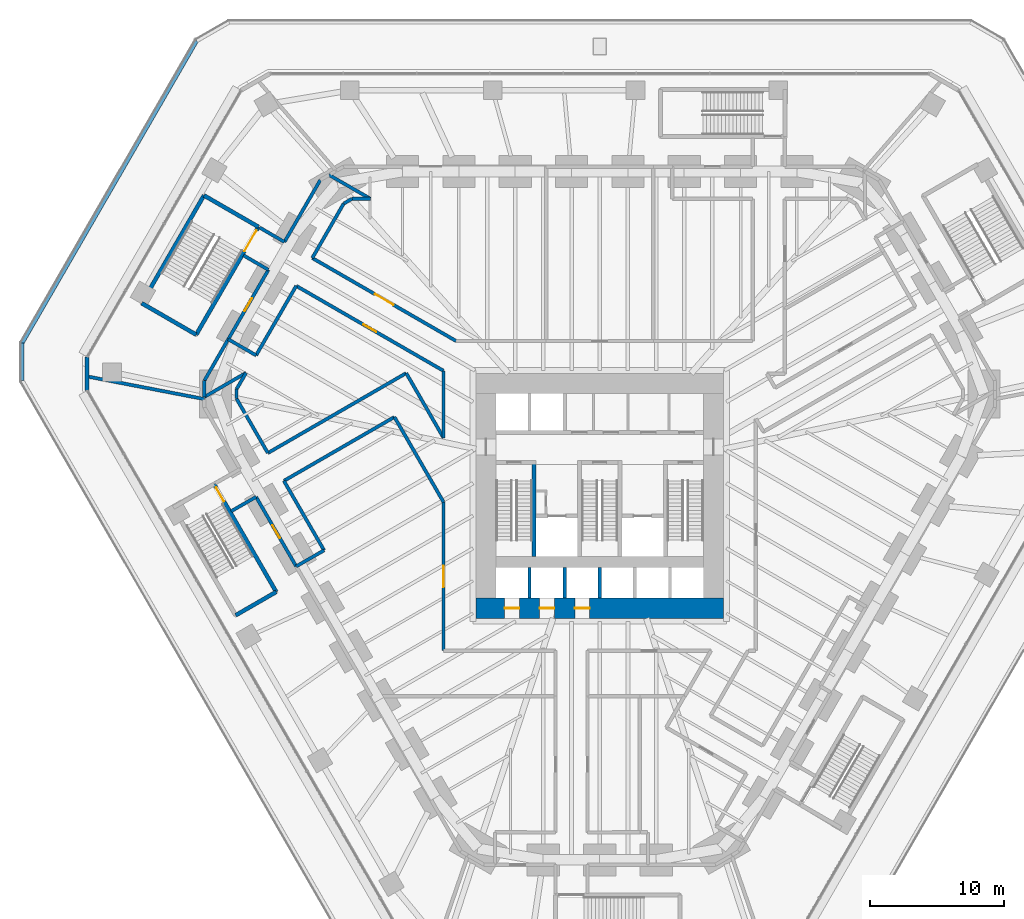
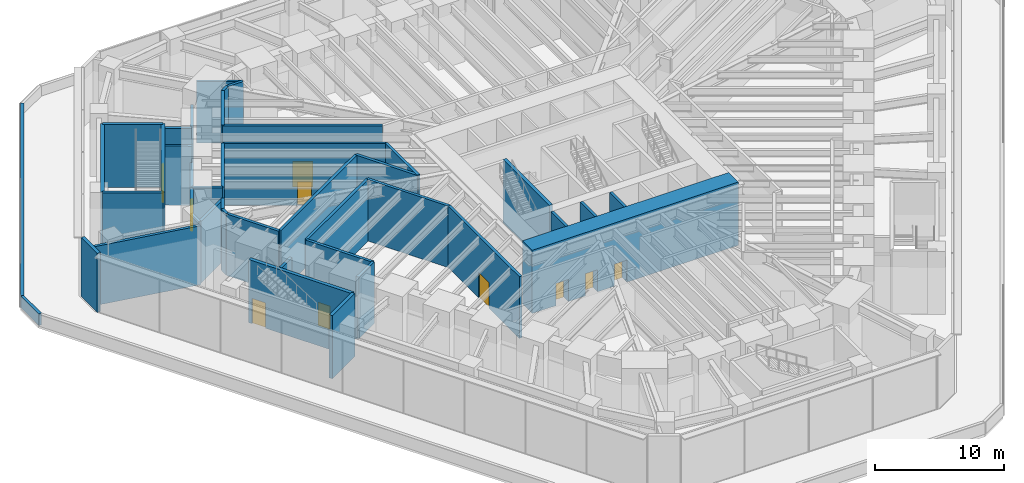
# One storey, part 15 of 24: 43 walls, 10 doors, 10 openings.
"""IFC4 building model written with IfcOpenShell, lengths in metres."""

from ifc_helpers import new_model, si_unit, direction, frame, frame_2d, origin, place, context, subcontext, project, spatial, rectangle, extrude, material, layer, layer_set, type_object, element, fill, save


model = new_model("IFC4")

# Units and contexts
model_context = context("Model", 3, precision=1e-05, world=origin(), true_north=direction((0.0, 1.0)))
body_context = subcontext(model_context, "Body", "Model", "MODEL_VIEW")
ifc_project = project(units=[si_unit("LENGTHUNIT", "METRE"), si_unit("AREAUNIT", "SQUARE_METRE"), si_unit("VOLUMEUNIT", "CUBIC_METRE"), si_unit("PLANEANGLEUNIT", "RADIAN"), si_unit("MASSUNIT", "GRAM", prefix="KILO")], contexts=[model_context])

# Site, building, storey
site_placement = place(None, origin())
site = spatial("IfcSite", under=ifc_project, at=site_placement, CompositionType="ELEMENT")
building_placement = place(site_placement, origin())
building = spatial("IfcBuilding", under=site, at=building_placement, Name="Sandreach Pilgrim Tower", CompositionType="ELEMENT")
storey_placement = place(building_placement, frame((0.0, 0.0, 12.0)))
storey = spatial("IfcBuildingStorey", under=building, at=storey_placement, Name="L02", CompositionType="ELEMENT", Elevation=12.0)

# Wall
ifc_material_1 = material(Name="Concrete 10000 psi", Category="concrete")
ifc_layer_1 = layer(ifc_material_1, 0.300048828125)
ifc_layer_set_1 = layer_set([ifc_layer_1], Name="Core inner wall 300")
wall_type_1 = type_object("IfcWallType", Name="Core inner wall 300", PredefinedType="SHEAR", material=ifc_layer_set_1)
wall_1_placement = place(storey_placement, frame((-4.89990234375, -6.10009765625, 0.0), z_axis=(0.0, 0.0, 1.0), x_axis=(0.0, 1.0, 0.0)))
element("IfcWall", 1, at=wall_1_placement, inside=storey, type_object=wall_type_1, Name="Core wall I0 L02", PredefinedType="SHEAR", context=body_context, shape_type="SweptSolid", body=[
    extrude(rectangle(XDim=7.2001953125, YDim=0.300048828125, at=frame_2d((3.60009765625, 0.0))), origin(), (0.0, 0.0, 1.0), 6.0),
])

# Wall, openings, doors
ifc_material_2 = material(Name="Concrete 10000 psi", Category="concrete")
ifc_layer_2 = layer(ifc_material_2, 1.5)
ifc_layer_set_2 = layer_set([ifc_layer_2], Name="Core wall 1500")
wall_type_2 = type_object("IfcWallType", Name="Core wall 1500", PredefinedType="SHEAR", material=ifc_layer_set_2)
wall_2_placement = place(storey_placement, frame((-9.25, -9.949951171875, 0.0), z_axis=(0.0, 0.0, 1.0), x_axis=(1.0, 0.0, 0.0)))
wall_2 = element("IfcWall", 2, at=wall_2_placement, inside=storey, type_object=wall_type_2, Name="Core wall S L02", PredefinedType="SHEAR", context=body_context, shape_type="SweptSolid", body=[
    extrude(rectangle(XDim=18.5, YDim=1.5, at=frame_2d((9.25, 0.0))), origin(), (0.0, 0.0, 1.0), 6.0),
])
opening_1_placement = place(wall_2_placement, frame((2.137451171875, 0.0, 0.0)))
opening_1 = element("IfcOpeningElement", 3, at=opening_1_placement, cuts=wall_2, Name="Opening LD11", PredefinedType="OPENING", context=body_context, shape_type="SweptSolid", body=[
    extrude(rectangle(XDim=1.10009765625, YDim=2.10009765625, at=frame_2d((0.550048828125, 1.050048828125))), frame((0.0, 0.75, 0.0), z_axis=(0.0, -1.0, 0.0), x_axis=(1.0, 0.0, 0.0)), (0.0, 0.0, 1.0), 1.5),
])
opening_2_placement = place(wall_2_placement, frame((4.762451171875, 0.0, 0.0)))
opening_2 = element("IfcOpeningElement", 4, at=opening_2_placement, cuts=wall_2, Name="Opening LD11", PredefinedType="OPENING", context=body_context, shape_type="SweptSolid", body=[
    extrude(rectangle(XDim=1.10009765625, YDim=2.10009765625, at=frame_2d((0.550048828125, 1.050048828125))), frame((0.0, 0.75, 0.0), z_axis=(0.0, -1.0, 0.0), x_axis=(1.0, 0.0, 0.0)), (0.0, 0.0, 1.0), 1.5),
])
opening_3_placement = place(wall_2_placement, frame((7.387451171875, 0.0, 0.0)))
opening_3 = element("IfcOpeningElement", 5, at=opening_3_placement, cuts=wall_2, Name="Opening LD11", PredefinedType="OPENING", context=body_context, shape_type="SweptSolid", body=[
    extrude(rectangle(XDim=1.10009765625, YDim=2.10009765625, at=frame_2d((0.550048828125, 1.050048828125))), frame((0.0, 0.75, 0.0), z_axis=(0.0, -1.0, 0.0), x_axis=(1.0, 0.0, 0.0)), (0.0, 0.0, 1.0), 1.5),
])
ifc_material_3 = material(Name="Steel door and frame", Category="steel")
door_type_1 = type_object("IfcDoorType", Name="Lift landing door", OperationType="DOUBLE_DOOR_SLIDING", PredefinedType="DOOR", material=ifc_material_3)
door_1_placement = place(opening_1_placement, origin())
door_1 = element("IfcDoor", 6, at=door_1_placement, inside=storey, type_object=door_type_1, Name="Lift landing door Z1A L02", OperationType="DOUBLE_DOOR_SLIDING", OverallHeight=2.10009765625, OverallWidth=1.10009765625, PredefinedType="DOOR", context=body_context, shape_type="SweptSolid", body=[
    extrude(rectangle(XDim=1.10009765625, YDim=2.10009765625, at=frame_2d((0.550048828125, 1.050048828125))), frame((0.0, 0.02490234375, 0.0), z_axis=(0.0, -1.0, 0.0), x_axis=(1.0, 0.0, 0.0)), (0.0, 0.0, 1.0), 0.050048828125),
])
fill(opening_1, door_1)
door_2_placement = place(opening_2_placement, origin())
door_2 = element("IfcDoor", 7, at=door_2_placement, inside=storey, type_object=door_type_1, Name="Lift landing door Z1B L02", OperationType="DOUBLE_DOOR_SLIDING", OverallHeight=2.10009765625, OverallWidth=1.10009765625, PredefinedType="DOOR", context=body_context, shape_type="SweptSolid", body=[
    extrude(rectangle(XDim=1.10009765625, YDim=2.10009765625, at=frame_2d((0.550048828125, 1.050048828125))), frame((0.0, 0.02490234375, 0.0), z_axis=(0.0, -1.0, 0.0), x_axis=(1.0, 0.0, 0.0)), (0.0, 0.0, 1.0), 0.050048828125),
])
fill(opening_2, door_2)
door_3_placement = place(opening_3_placement, origin())
door_3 = element("IfcDoor", 8, at=door_3_placement, inside=storey, type_object=door_type_1, Name="Lift landing door Z1C L02", OperationType="DOUBLE_DOOR_SLIDING", OverallHeight=2.10009765625, OverallWidth=1.10009765625, PredefinedType="DOOR", context=body_context, shape_type="SweptSolid", body=[
    extrude(rectangle(XDim=1.10009765625, YDim=2.10009765625, at=frame_2d((0.550048828125, 1.050048828125))), frame((0.0, 0.02490234375, 0.0), z_axis=(0.0, -1.0, 0.0), x_axis=(1.0, 0.0, 0.0)), (0.0, 0.0, 1.0), 0.050048828125),
])
fill(opening_3, door_3)

# Walls
ifc_material_4 = material(Name="Acoustic gypsum board wall, double frame", Category="gypsum")
ifc_layer_3 = layer(ifc_material_4, 0.25)
ifc_layer_set_3 = layer_set([ifc_layer_3], Name="Hall partition 250")
wall_type_3 = type_object("IfcWallType", Name="Hall partition 250", PredefinedType="PARTITIONING", material=ifc_layer_set_3)
wall_3_placement = place(storey_placement, frame((-38.320556640625, 7.374267578125, 0.0), z_axis=(0.0, 0.0, 1.0), x_axis=(0.981886490476, -0.189470102708, 0.0)))
element("IfcWall", 9, at=wall_3_placement, inside=storey, type_object=wall_type_3, Name="Hall partition L02-001", PredefinedType="PARTITIONING", context=body_context, shape_type="SweptSolid", body=[
    extrude(rectangle(XDim=8.9423828125, YDim=0.25, at=frame_2d((4.47119140625, 0.0))), origin(), (0.0, 0.0, 1.0), 5.60009765625),
])
wall_4_placement = place(storey_placement, frame((-29.5400390625, 7.06005859375, 0.0), z_axis=(0.0, 0.0, 1.0), x_axis=(0.0, -1.0, 0.0)))
element("IfcWall", 10, at=wall_4_placement, inside=storey, type_object=wall_type_3, Name="Hall partition L02-004", PredefinedType="PARTITIONING", context=body_context, shape_type="SweptSolid", body=[
    extrude(rectangle(XDim=1.219970703125, YDim=0.25, at=frame_2d((0.60986328125, 0.0))), origin(), (0.0, 0.0, 1.0), 5.840087890625),
])
wall_5_placement = place(storey_placement, frame((-27.760009765625, 10.14990234375, 0.0), z_axis=(0.0, 0.0, 1.0), x_axis=(-0.499181015942, -0.8664977284, 0.0)))
element("IfcWall", 11, at=wall_5_placement, inside=storey, type_object=wall_type_3, Name="Hall partition L02-005", PredefinedType="PARTITIONING", context=body_context, shape_type="SweptSolid", body=[
    extrude(rectangle(XDim=3.56591796875, YDim=0.25, at=frame_2d((1.782958984375, 0.0))), origin(), (0.0, 0.0, 1.0), 5.840087890625),
])
wall_6_placement = place(storey_placement, frame((-27.760009765625, 10.14990234375, 0.0), z_axis=(0.0, 0.0, 1.0), x_axis=(0.866202511239, -0.499693115345, 0.0)))
element("IfcWall", 12, at=wall_6_placement, inside=storey, type_object=wall_type_3, Name="Hall partition L02-006", PredefinedType="PARTITIONING", context=body_context, shape_type="SweptSolid", body=[
    extrude(rectangle(XDim=2.4013671875, YDim=0.25, at=frame_2d((1.20068359375, 0.0))), origin(), (0.0, 0.0, 1.0), 5.840087890625),
])
wall_7_placement = place(storey_placement, frame((-27.5400390625, -2.699951171875, 0.0), z_axis=(0.0, 0.0, 1.0), x_axis=(0.866853445344, 0.49856303944, 0.0)))
element("IfcWall", 13, at=wall_7_placement, inside=storey, type_object=wall_type_3, Name="Hall partition L02-007", PredefinedType="PARTITIONING", context=body_context, shape_type="SweptSolid", body=[
    extrude(rectangle(XDim=2.145751953125, YDim=0.25, at=frame_2d((1.07275390625, 0.0))), origin(), (0.0, 0.0, 1.0), 5.60009765625),
])
wall_8_placement = place(storey_placement, frame((-27.139892578125, 5.7099609375, 0.0), z_axis=(0.0, 0.0, 1.0), x_axis=(0.0, 1.0, 0.0)))
element("IfcWall", 14, at=wall_8_placement, inside=storey, type_object=wall_type_3, Name="Hall partition L02-008", PredefinedType="PARTITIONING", context=body_context, shape_type="SweptSolid", body=[
    extrude(rectangle(XDim=0.7099609375, YDim=0.25, at=frame_2d((0.35498046875, 0.0))), origin(), (0.0, 0.0, 1.0), 5.840087890625),
])
wall_9_placement = place(storey_placement, frame((-27.139892578125, 6.419921875, 0.0), z_axis=(0.0, 0.0, 1.0), x_axis=(0.502902974743, 0.864342870622, 0.0)))
element("IfcWall", 15, at=wall_9_placement, inside=storey, type_object=wall_type_3, Name="Hall partition L02-009", PredefinedType="PARTITIONING", context=body_context, shape_type="SweptSolid", body=[
    extrude(rectangle(XDim=1.41162109375, YDim=0.25, at=frame_2d((0.705810546875, 0.0))), origin(), (0.0, 0.0, 1.0), 5.840087890625),
])
wall_10_placement = place(storey_placement, frame((-26.6201171875, 16.419921875, 0.0), z_axis=(0.0, 0.0, 1.0), x_axis=(0.864835053767, -0.50205610222, 0.0)))
element("IfcWall", 16, at=wall_10_placement, inside=storey, type_object=wall_type_3, Name="Hall partition L02-011", PredefinedType="PARTITIONING", context=body_context, shape_type="SweptSolid", body=[
    extrude(rectangle(XDim=2.15087890625, YDim=0.25, at=frame_2d((1.075439453125, 0.0))), origin(), (0.0, 0.0, 1.0), 5.60009765625),
])
wall_11_placement = place(storey_placement, frame((-26.429931640625, 7.639892578125, 0.0), z_axis=(0.0, 0.0, 1.0), x_axis=(-0.865520854062, -0.500872889249, 0.0)))
element("IfcWall", 17, at=wall_11_placement, inside=storey, type_object=wall_type_3, Name="Hall partition L02-012", PredefinedType="PARTITIONING", context=body_context, shape_type="SweptSolid", body=[
    extrude(rectangle(XDim=3.59326171875, YDim=0.25, at=frame_2d((1.796630859375, 0.0))), origin(), (0.0, 0.0, 1.0), 5.840087890625),
])

# Wall, opening, door
wall_12_placement = place(storey_placement, frame((-25.679931640625, -1.6298828125, 0.0), z_axis=(0.0, 0.0, 1.0), x_axis=(0.500116102252, -0.865958361741, 0.0)))
wall_12 = element("IfcWall", 18, at=wall_12_placement, inside=storey, type_object=wall_type_3, Name="Hall partition L02-013", PredefinedType="PARTITIONING", context=body_context, shape_type="SweptSolid", body=[
    extrude(rectangle(XDim=5.99462890625, YDim=0.25, at=frame_2d((2.997314453125, 0.0))), origin(), (0.0, 0.0, 1.0), 4.0400390625),
])
opening_4_placement = place(wall_12_placement, frame((2.447509765625, 0.0, 0.0)))
opening_4 = element("IfcOpeningElement", 19, at=opening_4_placement, cuts=wall_12, Name="Opening D11H-05", PredefinedType="OPENING", context=body_context, shape_type="SweptSolid", body=[
    extrude(rectangle(XDim=1.10009765625, YDim=2.199951171875, at=frame_2d((0.550048828125, 1.10009765625))), frame((0.0, 0.125, 0.0), z_axis=(0.0, -1.0, 0.0), x_axis=(1.0, 0.0, 0.0)), (0.0, 0.0, 1.0), 0.25),
])
ifc_material_5 = material(Name="Steel door and frame", Category="steel")
door_type_2 = type_object("IfcDoorType", Name="Back of house door", OperationType="SINGLE_SWING_LEFT", PredefinedType="DOOR", material=ifc_material_5)
door_4_placement = place(opening_4_placement, origin())
door_4 = element("IfcDoor", 20, at=door_4_placement, inside=storey, type_object=door_type_2, Name="Door 0205", OperationType="SINGLE_SWING_LEFT", OverallHeight=2.199951171875, OverallWidth=1.10009765625, PredefinedType="DOOR", context=body_context, shape_type="SweptSolid", body=[
    extrude(rectangle(XDim=1.10009765625, YDim=2.199951171875, at=frame_2d((0.550048828125, 1.10009765625))), frame((0.0, 0.02490234375, 0.0), z_axis=(0.0, -1.0, 0.0), x_axis=(1.0, 0.0, 0.0)), (0.0, 0.0, 1.0), 0.050048828125),
])
fill(opening_4, door_4)

# Walls
wall_13_placement = place(storey_placement, frame((-25.679931640625, 8.949951171875, 0.0), z_axis=(0.0, 0.0, 1.0), x_axis=(0.50043093139, 0.865776462436, 0.0)))
element("IfcWall", 21, at=wall_13_placement, inside=storey, type_object=wall_type_3, Name="Hall partition L02-014", PredefinedType="PARTITIONING", context=body_context, shape_type="SweptSolid", body=[
    extrude(rectangle(XDim=5.994873046875, YDim=0.25, at=frame_2d((2.99755859375, 0.0))), origin(), (0.0, 0.0, 1.0), 5.840087890625),
])
wall_14_placement = place(storey_placement, frame((-24.800048828125, 1.64990234375, 0.0), z_axis=(0.0, 0.0, 1.0), x_axis=(-0.499361596599, 0.866393672555, 0.0)))
element("IfcWall", 22, at=wall_14_placement, inside=storey, type_object=wall_type_3, Name="Hall partition L02-015", PredefinedType="PARTITIONING", context=body_context, shape_type="SweptSolid", body=[
    extrude(rectangle(XDim=4.686279296875, YDim=0.25, at=frame_2d((2.34326171875, 0.0))), origin(), (0.0, 0.0, 1.0), 5.840087890625),
])

# Wall, opening, door
wall_15_placement = place(storey_placement, frame((-24.760009765625, 15.340087890625, 0.0), z_axis=(0.0, 0.0, 1.0), x_axis=(-0.50043093139, -0.865776462436, 0.0)))
wall_15 = element("IfcWall", 23, at=wall_15_placement, inside=storey, type_object=wall_type_3, Name="Hall partition L02-016", PredefinedType="PARTITIONING", context=body_context, shape_type="SweptSolid", body=[
    extrude(rectangle(XDim=5.994873046875, YDim=0.25, at=frame_2d((2.99755859375, 0.0))), origin(), (0.0, 0.0, 1.0), 4.0400390625),
])
opening_5_placement = place(wall_15_placement, frame((2.447509765625, 0.0, 0.0)))
opening_5 = element("IfcOpeningElement", 24, at=opening_5_placement, cuts=wall_15, Name="Opening D11H-06", PredefinedType="OPENING", context=body_context, shape_type="SweptSolid", body=[
    extrude(rectangle(XDim=1.10009765625, YDim=2.199951171875, at=frame_2d((0.550048828125, 1.10009765625))), frame((0.0, 0.125, 0.0), z_axis=(0.0, -1.0, 0.0), x_axis=(1.0, 0.0, 0.0)), (0.0, 0.0, 1.0), 0.25),
])
door_5_placement = place(opening_5_placement, origin())
door_5 = element("IfcDoor", 25, at=door_5_placement, inside=storey, type_object=door_type_2, Name="Door 0206", OperationType="SINGLE_SWING_LEFT", OverallHeight=2.199951171875, OverallWidth=1.10009765625, PredefinedType="DOOR", context=body_context, shape_type="SweptSolid", body=[
    extrude(rectangle(XDim=1.10009765625, YDim=2.199951171875, at=frame_2d((0.550048828125, 1.10009765625))), frame((0.0, 0.02490234375, 0.0), z_axis=(0.0, -1.0, 0.0), x_axis=(1.0, 0.0, 0.0)), (0.0, 0.0, 1.0), 0.050048828125),
])
fill(opening_5, door_5)

# Walls
wall_16_placement = place(storey_placement, frame((-23.60009765625, -0.429931640625, 0.0), z_axis=(0.0, 0.0, 1.0), x_axis=(0.865975432538, 0.500086542752, 0.0)))
element("IfcWall", 26, at=wall_16_placement, inside=storey, type_object=wall_type_3, Name="Hall partition L02-017", PredefinedType="PARTITIONING", context=body_context, shape_type="SweptSolid", body=[
    extrude(rectangle(XDim=9.538330078125, YDim=0.25, at=frame_2d((4.76904296875, 0.0))), origin(), (0.0, 0.0, 1.0), 5.840087890625),
])
wall_17_placement = place(storey_placement, frame((-23.56005859375, 17.419921875, 0.0), z_axis=(0.0, 0.0, 1.0), x_axis=(-0.864757143013, 0.502190286255, 0.0)))
element("IfcWall", 27, at=wall_17_placement, inside=storey, type_object=wall_type_3, Name="Hall partition L02-018", PredefinedType="PARTITIONING", context=body_context, shape_type="SweptSolid", body=[
    extrude(rectangle(XDim=2.150634765625, YDim=0.25, at=frame_2d((1.0751953125, 0.0))), origin(), (0.0, 0.0, 1.0), 5.60009765625),
])
wall_18_placement = place(storey_placement, frame((-22.679931640625, -6.820068359375, 0.0), z_axis=(0.0, 0.0, 1.0), x_axis=(0.866177122335, 0.499737123639, 0.0)))
element("IfcWall", 28, at=wall_18_placement, inside=storey, type_object=wall_type_3, Name="Hall partition L02-020", PredefinedType="PARTITIONING", context=body_context, shape_type="SweptSolid", body=[
    extrude(rectangle(XDim=2.401123046875, YDim=0.25, at=frame_2d((1.20068359375, 0.0))), origin(), (0.0, 0.0, 1.0), 5.840087890625),
])

# Wall, opening, door
wall_19_placement = place(storey_placement, frame((-22.679931640625, 14.139892578125, 0.0), z_axis=(0.0, 0.0, 1.0), x_axis=(0.866256251028, -0.499599947513, 0.0)))
wall_19 = element("IfcWall", 29, at=wall_19_placement, inside=storey, type_object=wall_type_3, Name="Hall partition L02-021", PredefinedType="PARTITIONING", context=body_context, shape_type="SweptSolid", body=[
    extrude(rectangle(XDim=12.7099609375, YDim=0.25, at=frame_2d((6.35498046875, 0.0))), origin(), (0.0, 0.0, 1.0), 5.840087890625),
])
opening_6_placement = place(wall_19_placement, frame((5.804931640625, 0.0, 0.0)))
opening_6 = element("IfcOpeningElement", 30, at=opening_6_placement, cuts=wall_19, Name="Opening D11H-B3", PredefinedType="OPENING", context=body_context, shape_type="SweptSolid", body=[
    extrude(rectangle(XDim=1.10009765625, YDim=2.199951171875, at=frame_2d((0.550048828125, 1.10009765625))), frame((0.0, 0.125, 0.0), z_axis=(0.0, -1.0, 0.0), x_axis=(1.0, 0.0, 0.0)), (0.0, 0.0, 1.0), 0.25),
])
door_6_placement = place(opening_6_placement, origin())
door_6 = element("IfcDoor", 31, at=door_6_placement, inside=storey, type_object=door_type_2, Name="Door 02B3", OperationType="SINGLE_SWING_LEFT", OverallHeight=2.199951171875, OverallWidth=1.10009765625, PredefinedType="DOOR", context=body_context, shape_type="SweptSolid", body=[
    extrude(rectangle(XDim=1.10009765625, YDim=2.199951171875, at=frame_2d((0.550048828125, 1.10009765625))), frame((0.0, 0.02490234375, 0.0), z_axis=(0.0, -1.0, 0.0), x_axis=(1.0, 0.0, 0.0)), (0.0, 0.0, 1.0), 0.050048828125),
])
fill(opening_6, door_6)

# Walls
wall_20_placement = place(storey_placement, frame((-21.47998046875, 16.219970703125, 0.0), z_axis=(0.0, 0.0, 1.0), x_axis=(0.499999753078, 0.866025546345, 0.0)))
element("IfcWall", 32, at=wall_20_placement, inside=storey, type_object=wall_type_3, Name="Hall partition L02-022", PredefinedType="PARTITIONING", context=body_context, shape_type="SweptSolid", body=[
    extrude(rectangle(XDim=4.69970703125, YDim=0.25, at=frame_2d((2.349853515625, 0.0))), origin(), (0.0, 0.0, 1.0), 5.840087890625),
])
wall_21_placement = place(storey_placement, frame((-20.8798828125, 22.050048828125, 0.0), z_axis=(0.0, 0.0, 1.0), x_axis=(-0.50097690648, -0.86546065143, 0.0)))
element("IfcWall", 33, at=wall_21_placement, inside=storey, type_object=wall_type_3, Name="Hall partition L02-023", PredefinedType="PARTITIONING", context=body_context, shape_type="SweptSolid", body=[
    extrude(rectangle(XDim=5.349853515625, YDim=0.25, at=frame_2d((2.6748046875, 0.0))), origin(), (0.0, 0.0, 1.0), 4.0400390625),
])
wall_22_placement = place(storey_placement, frame((-20.60009765625, -5.6201171875, 0.0), z_axis=(0.0, 0.0, 1.0), x_axis=(-0.50043093139, 0.865776462436, 0.0)))
element("IfcWall", 34, at=wall_22_placement, inside=storey, type_object=wall_type_3, Name="Hall partition L02-024", PredefinedType="PARTITIONING", context=body_context, shape_type="SweptSolid", body=[
    extrude(rectangle(XDim=5.994873046875, YDim=0.25, at=frame_2d((2.99755859375, 0.0))), origin(), (0.0, 0.0, 1.0), 5.840087890625),
])
wall_23_placement = place(storey_placement, frame((-19.1298828125, 20.2900390625, 0.0), z_axis=(0.0, 0.0, 1.0), x_axis=(0.864827114446, 0.502069778138, 0.0)))
element("IfcWall", 35, at=wall_23_placement, inside=storey, type_object=wall_type_3, Name="Hall partition L02-029", PredefinedType="PARTITIONING", context=body_context, shape_type="SweptSolid", body=[
    extrude(rectangle(XDim=0.716796875, YDim=0.25, at=frame_2d((0.3583984375, 0.0))), origin(), (0.0, 0.0, 1.0), 5.840087890625),
])
wall_24_placement = place(storey_placement, frame((-18.510009765625, 20.64990234375, 0.0), z_axis=(0.0, 0.0, 1.0), x_axis=(1.0, 0.0, 0.0)))
element("IfcWall", 36, at=wall_24_placement, inside=storey, type_object=wall_type_3, Name="Hall partition L02-030", PredefinedType="PARTITIONING", context=body_context, shape_type="SweptSolid", body=[
    extrude(rectangle(XDim=1.3701171875, YDim=0.25, at=frame_2d((0.68505859375, 0.0))), origin(), (0.0, 0.0, 1.0), 5.840087890625),
])
wall_25_placement = place(storey_placement, frame((-17.139892578125, 20.64990234375, 0.0), z_axis=(0.0, 0.0, 1.0), x_axis=(-0.866514787199, 0.49915140345, 0.0)))
element("IfcWall", 37, at=wall_25_placement, inside=storey, type_object=wall_type_3, Name="Hall partition L02-031", PredefinedType="PARTITIONING", context=body_context, shape_type="SweptSolid", body=[
    extrude(rectangle(XDim=3.566162109375, YDim=0.25, at=frame_2d((1.783203125, 0.0))), origin(), (0.0, 0.0, 1.0), 5.840087890625),
])
wall_26_placement = place(storey_placement, frame((-15.340087890625, 4.340087890625, 0.0), z_axis=(0.0, 0.0, 1.0), x_axis=(0.499811677007, -0.866134104817, 0.0)))
element("IfcWall", 38, at=wall_26_placement, inside=storey, type_object=wall_type_3, Name="Hall partition L02-033", PredefinedType="PARTITIONING", context=body_context, shape_type="SweptSolid", body=[
    extrude(rectangle(XDim=7.343017578125, YDim=0.25, at=frame_2d((3.67138671875, 0.0))), origin(), (0.0, 0.0, 1.0), 5.840087890625),
])
wall_27_placement = place(storey_placement, frame((-14.4599609375, 7.6201171875, 0.0), z_axis=(0.0, 0.0, 1.0), x_axis=(-0.866012263686, -0.500022758628, 0.0)))
element("IfcWall", 39, at=wall_27_placement, inside=storey, type_object=wall_type_3, Name="Hall partition L02-034", PredefinedType="PARTITIONING", context=body_context, shape_type="SweptSolid", body=[
    extrude(rectangle(XDim=11.93994140625, YDim=0.25, at=frame_2d((5.969970703125, 0.0))), origin(), (0.0, 0.0, 1.0), 5.840087890625),
])

# Wall, opening, door
wall_28_placement = place(storey_placement, frame((-11.669921875, -2.02001953125, 0.0), z_axis=(0.0, 0.0, 1.0), x_axis=(0.0, -1.0, 0.0)))
wall_28 = element("IfcWall", 40, at=wall_28_placement, inside=storey, type_object=wall_type_3, Name="Hall partition L02-037", PredefinedType="PARTITIONING", context=body_context, shape_type="SweptSolid", body=[
    extrude(rectangle(XDim=11.10009765625, YDim=0.25, at=frame_2d((5.550048828125, 0.0))), origin(), (0.0, 0.0, 1.0), 5.840087890625),
])
opening_7_placement = place(wall_28_placement, frame((4.75, 0.0, 0.0)))
opening_7 = element("IfcOpeningElement", 41, at=opening_7_placement, cuts=wall_28, Name="Opening D16-B4", PredefinedType="OPENING", context=body_context, shape_type="SweptSolid", body=[
    extrude(rectangle(XDim=1.60009765625, YDim=2.39990234375, at=frame_2d((0.800048828125, 1.199951171875))), frame((0.0, 0.125, 0.0), z_axis=(0.0, -1.0, 0.0), x_axis=(1.0, 0.0, 0.0)), (0.0, 0.0, 1.0), 0.25),
])
ifc_material_6 = material(Name="Steel door and frame", Category="steel")
door_type_3 = type_object("IfcDoorType", Name="Hall double door", OperationType="DOUBLE_DOOR_SINGLE_SWING", PredefinedType="DOOR", material=ifc_material_6)
door_7_placement = place(opening_7_placement, origin())
door_7 = element("IfcDoor", 42, at=door_7_placement, inside=storey, type_object=door_type_3, Name="Door 02B4", OperationType="DOUBLE_DOOR_SINGLE_SWING", OverallHeight=2.39990234375, OverallWidth=1.60009765625, PredefinedType="DOOR", context=body_context, shape_type="SweptSolid", body=[
    extrude(rectangle(XDim=1.60009765625, YDim=2.39990234375, at=frame_2d((0.800048828125, 1.199951171875))), frame((0.0, 0.02490234375, 0.0), z_axis=(0.0, -1.0, 0.0), x_axis=(1.0, 0.0, 0.0)), (0.0, 0.0, 1.0), 0.050048828125),
])
fill(opening_7, door_7)

# Walls
wall_29_placement = place(storey_placement, frame((-11.669921875, 2.780029296875, 0.0), z_axis=(0.0, 0.0, 1.0), x_axis=(-0.49941093891, 0.866365231353, 0.0)))
element("IfcWall", 43, at=wall_29_placement, inside=storey, type_object=wall_type_3, Name="Hall partition L02-038", PredefinedType="PARTITIONING", context=body_context, shape_type="SweptSolid", body=[
    extrude(rectangle(XDim=5.586669921875, YDim=0.25, at=frame_2d((2.79345703125, 0.0))), origin(), (0.0, 0.0, 1.0), 5.840087890625),
])
wall_30_placement = place(storey_placement, frame((-11.669921875, 7.7900390625, 0.0), z_axis=(0.0, 0.0, 1.0), x_axis=(0.0, -1.0, 0.0)))
element("IfcWall", 44, at=wall_30_placement, inside=storey, type_object=wall_type_3, Name="Hall partition L02-039", PredefinedType="PARTITIONING", context=body_context, shape_type="SweptSolid", body=[
    extrude(rectangle(XDim=5.010009765625, YDim=0.25, at=frame_2d((2.5048828125, 0.0))), origin(), (0.0, 0.0, 1.0), 5.840087890625),
])

# Wall, opening, door
wall_31_placement = place(storey_placement, frame((-10.72998046875, 10.02001953125, 0.0), z_axis=(0.0, 0.0, 1.0), x_axis=(-0.866254357941, 0.499603229922, 0.0)))
wall_31 = element("IfcWall", 45, at=wall_31_placement, inside=storey, type_object=wall_type_3, Name="Hall partition L02-040", PredefinedType="PARTITIONING", context=body_context, shape_type="SweptSolid", body=[
    extrude(rectangle(XDim=12.40966796875, YDim=0.25, at=frame_2d((6.204833984375, 0.0))), origin(), (0.0, 0.0, 1.0), 5.840087890625),
])
opening_8_placement = place(wall_31_placement, frame((5.40478515625, 0.0, 0.0)))
opening_8 = element("IfcOpeningElement", 46, at=opening_8_placement, cuts=wall_31, Name="Opening D16-B2", PredefinedType="OPENING", context=body_context, shape_type="SweptSolid", body=[
    extrude(rectangle(XDim=1.60009765625, YDim=2.39990234375, at=frame_2d((0.800048828125, 1.199951171875))), frame((0.0, 0.125, 0.0), z_axis=(0.0, -1.0, 0.0), x_axis=(1.0, 0.0, 0.0)), (0.0, 0.0, 1.0), 0.25),
])
door_8_placement = place(opening_8_placement, origin())
door_8 = element("IfcDoor", 47, at=door_8_placement, inside=storey, type_object=door_type_3, Name="Door 02B2", OperationType="DOUBLE_DOOR_SINGLE_SWING", OverallHeight=2.39990234375, OverallWidth=1.60009765625, PredefinedType="DOOR", context=body_context, shape_type="SweptSolid", body=[
    extrude(rectangle(XDim=1.60009765625, YDim=2.39990234375, at=frame_2d((0.800048828125, 1.199951171875))), frame((0.0, 0.02490234375, 0.0), z_axis=(0.0, -1.0, 0.0), x_axis=(1.0, 0.0, 0.0)), (0.0, 0.0, 1.0), 0.050048828125),
])
fill(opening_8, door_8)

ifc_material_7 = material(Name="Concrete 8000 psi", Category="concrete")
ifc_layer_4 = layer(ifc_material_7, 0.300048828125)
ifc_layer_set_4 = layer_set([ifc_layer_4], Name="Podium stair enclosure 300")
wall_type_4 = type_object("IfcWallType", Name="Podium stair enclosure 300", PredefinedType="SHEAR", material=ifc_layer_set_4)
wall_32_placement = place(storey_placement, frame((-25.503662109375, 18.548095703125, 0.0), z_axis=(0.0, 0.0, 1.0), x_axis=(-0.500004225487, -0.866022964185, 0.0)))
wall_32 = element("IfcWall", 48, at=wall_32_placement, inside=storey, type_object=wall_type_4, Name="Stair ST6 enclosure L02 1", PredefinedType="SHEAR", context=body_context, shape_type="SweptSolid", body=[
    extrude(rectangle(XDim=9.30029296875, YDim=0.300048828125, at=frame_2d((4.650146484375, 0.0))), origin(), (0.0, 0.0, 1.0), 6.0),
])
opening_9_placement = place(wall_32_placement, frame((0.300048828125, 0.0, 0.0)))
opening_9 = element("IfcOpeningElement", 49, at=opening_9_placement, cuts=wall_32, Name="Opening D18S-ST6", PredefinedType="OPENING", context=body_context, shape_type="SweptSolid", body=[
    extrude(rectangle(XDim=1.800048828125, YDim=2.39990234375, at=frame_2d((0.89990234375, 1.199951171875))), frame((0.0, 0.14990234375, 0.0), z_axis=(0.0, -1.0, 0.0), x_axis=(1.0, 0.0, 0.0)), (0.0, 0.0, 1.0), 0.300048828125),
])
ifc_material_8 = material(Name="Steel door and frame", Category="steel")
door_type_4 = type_object("IfcDoorType", Name="Podium stair door", OperationType="DOUBLE_DOOR_SINGLE_SWING", PredefinedType="DOOR", material=ifc_material_8)
door_9_placement = place(opening_9_placement, origin())
door_9 = element("IfcDoor", 50, at=door_9_placement, inside=storey, type_object=door_type_4, Name="Stair door ST6 L02", OperationType="DOUBLE_DOOR_SINGLE_SWING", OverallHeight=2.39990234375, OverallWidth=1.800048828125, PredefinedType="DOOR", context=body_context, shape_type="SweptSolid", body=[
    extrude(rectangle(XDim=1.800048828125, YDim=2.39990234375, at=frame_2d((0.89990234375, 1.199951171875))), frame((0.0, 0.02490234375, 0.0), z_axis=(0.0, -1.0, 0.0), x_axis=(1.0, 0.0, 0.0)), (0.0, 0.0, 1.0), 0.050048828125),
])
fill(opening_9, door_9)

# Walls
wall_33_placement = place(storey_placement, frame((-30.15380859375, 10.493896484375, 0.0), z_axis=(0.0, 0.0, 1.0), x_axis=(-0.866016039709, 0.500016218704, 0.0)))
element("IfcWall", 51, at=wall_33_placement, inside=storey, type_object=wall_type_4, Name="Stair ST6 enclosure L02 2", PredefinedType="SHEAR", context=body_context, shape_type="SweptSolid", body=[
    extrude(rectangle(XDim=4.699951171875, YDim=0.300048828125, at=frame_2d((2.35009765625, 0.0))), origin(), (0.0, 0.0, 1.0), 6.0),
])
wall_34_placement = place(storey_placement, frame((-34.22412109375, 12.843994140625, 0.0), z_axis=(0.0, 0.0, 1.0), x_axis=(0.500015592816, 0.866016401081, 0.0)))
element("IfcWall", 52, at=wall_34_placement, inside=storey, type_object=wall_type_4, Name="Stair ST6 enclosure L02 3", PredefinedType="SHEAR", context=body_context, shape_type="SweptSolid", body=[
    extrude(rectangle(XDim=9.300048828125, YDim=0.300048828125, at=frame_2d((4.64990234375, 0.0))), origin(), (0.0, 0.0, 1.0), 6.0),
])
wall_35_placement = place(storey_placement, frame((-29.573974609375, 20.89794921875, 0.0), z_axis=(0.0, 0.0, 1.0), x_axis=(0.866038532462, -0.499977259774, 0.0)))
element("IfcWall", 53, at=wall_35_placement, inside=storey, type_object=wall_type_4, Name="Stair ST6 enclosure L02 4", PredefinedType="SHEAR", context=body_context, shape_type="SweptSolid", body=[
    extrude(rectangle(XDim=4.699951171875, YDim=0.300048828125, at=frame_2d((2.35009765625, 0.0))), origin(), (0.0, 0.0, 1.0), 6.0),
])

# Wall, opening, door
wall_36_placement = place(storey_placement, frame((-28.82421875, -0.67236328125, 0.0), z_axis=(0.0, 0.0, 1.0), x_axis=(0.499984536904, -0.866034331223, 0.0)))
wall_36 = element("IfcWall", 54, at=wall_36_placement, inside=storey, type_object=wall_type_4, Name="Stair ST9 enclosure L02 1", PredefinedType="SHEAR", context=body_context, shape_type="SweptSolid", body=[
    extrude(rectangle(XDim=9.300048828125, YDim=0.300048828125, at=frame_2d((4.64990234375, 0.0))), origin(), (0.0, 0.0, 1.0), 6.0),
])
opening_10_placement = place(wall_36_placement, frame((0.300048828125, 0.0, 0.0)))
opening_10 = element("IfcOpeningElement", 55, at=opening_10_placement, cuts=wall_36, Name="Opening D12S-ST9", PredefinedType="OPENING", context=body_context, shape_type="SweptSolid", body=[
    extrude(rectangle(XDim=1.199951171875, YDim=2.39990234375, at=frame_2d((0.60009765625, 1.199951171875))), frame((0.0, 0.14990234375, 0.0), z_axis=(0.0, -1.0, 0.0), x_axis=(1.0, 0.0, 0.0)), (0.0, 0.0, 1.0), 0.300048828125),
])
ifc_material_9 = material(Name="Steel door and frame", Category="steel")
door_type_5 = type_object("IfcDoorType", Name="Narrow podium stair door", OperationType="SINGLE_SWING_LEFT", PredefinedType="DOOR", material=ifc_material_9)
door_10_placement = place(opening_10_placement, origin())
door_10 = element("IfcDoor", 56, at=door_10_placement, inside=storey, type_object=door_type_5, Name="Stair door ST9 L02", OperationType="SINGLE_SWING_LEFT", OverallHeight=2.39990234375, OverallWidth=1.199951171875, PredefinedType="DOOR", context=body_context, shape_type="SweptSolid", body=[
    extrude(rectangle(XDim=1.199951171875, YDim=2.39990234375, at=frame_2d((0.60009765625, 1.199951171875))), frame((0.0, 0.02490234375, 0.0), z_axis=(0.0, -1.0, 0.0), x_axis=(1.0, 0.0, 0.0)), (0.0, 0.0, 1.0), 0.050048828125),
])
fill(opening_10, door_10)

# Walls
wall_37_placement = place(storey_placement, frame((-24.17431640625, -8.7265625, 0.0), z_axis=(0.0, 0.0, 1.0), x_axis=(-0.866019471182, -0.500010275428, 0.0)))
element("IfcWall", 57, at=wall_37_placement, inside=storey, type_object=wall_type_4, Name="Stair ST9 enclosure L02 2", PredefinedType="SHEAR", context=body_context, shape_type="SweptSolid", body=[
    extrude(rectangle(XDim=3.5, YDim=0.300048828125, at=frame_2d((1.75, 0.0))), origin(), (0.0, 0.0, 1.0), 6.0),
])
ifc_material_10 = material(Name="Concrete parapet with terracotta coping", Category="masonry")
ifc_layer_5 = layer(ifc_material_10, 0.25)
ifc_layer_set_5 = layer_set([ifc_layer_5], Name="Setback parapet")
wall_type_5 = type_object("IfcWallType", Name="Setback parapet", PredefinedType="PARAPET", material=ifc_layer_set_5)
wall_38_placement = place(storey_placement, frame((-30.106201171875, 32.438232421875, 0.0), z_axis=(0.0, 0.0, 1.0), x_axis=(-0.500004465561, -0.866022825576, 0.0)))
element("IfcWall", 58, at=wall_38_placement, inside=storey, type_object=wall_type_5, Name="Setback parapet L02 2", PredefinedType="PARAPET", context=body_context, shape_type="SweptSolid", body=[
    extrude(rectangle(XDim=26.078369140625, YDim=0.25, at=frame_2d((13.0390625, 0.0))), origin(), (0.0, 0.0, 1.0), 1.10009765625),
])
wall_39_placement = place(storey_placement, frame((-43.1455078125, 9.853759765625, 0.0), z_axis=(0.0, 0.0, 1.0), x_axis=(0.00061231619, -0.999999812534, 0.0)))
element("IfcWall", 59, at=wall_39_placement, inside=storey, type_object=wall_type_5, Name="Setback parapet L02 3", PredefinedType="PARAPET", context=body_context, shape_type="SweptSolid", body=[
    extrude(rectangle(XDim=2.791015625, YDim=0.25, at=frame_2d((1.3955078125, 0.0))), origin(), (0.0, 0.0, 1.0), 1.10009765625),
])
ifc_material_11 = material(Name="Gypsum shaft wall on steel studs, two layers of shaft liner board", Category="steel")
ifc_layer_6 = layer(ifc_material_11, 0.25)
ifc_layer_set_6 = layer_set([ifc_layer_6], Name="Shaft partition 250")
wall_type_6 = type_object("IfcWallType", Name="Shaft partition 250", PredefinedType="PARTITIONING", material=ifc_layer_set_6)
for number, where, z_axis, x_axis, name in (
    (60, (-5.25, -9.199951171875, 0.0), (0.0, 0.0, 1.0), (0.0, 1.0, 0.0), "Shaft partition XS0 L02"),
    (61, (-2.625, -9.199951171875, 0.0), (0.0, 0.0, 1.0), (0.0, 1.0, 0.0), "Shaft partition XS1 L02"),
    (62, (0.0, -9.199951171875, 0.0), (0.0, 0.0, 1.0), (0.0, 1.0, 0.0), "Shaft partition XS2 L02"),
):
    element("IfcWall", number, at=place(storey_placement, frame(where, z_axis=z_axis, x_axis=x_axis)), inside=storey, type_object=wall_type_6, Name=name, PredefinedType="PARTITIONING", context=body_context, shape_type="SweptSolid", body=[
        extrude(rectangle(XDim=2.300048828125, YDim=0.25, at=frame_2d((1.14990234375, 0.0))), origin(), (0.0, 0.0, 1.0), 6.0),
    ])
ifc_material_12 = material(Name="Terracotta rainscreen on concrete", Category="masonry")
ifc_layer_7 = layer(ifc_material_12, 0.300048828125)
ifc_layer_set_7 = layer_set([ifc_layer_7], Name="Terracotta chamfer pier")
wall_type_7 = type_object("IfcWallType", Name="Terracotta chamfer pier", PredefinedType="SOLIDWALL", material=ifc_layer_set_7)
wall_40_placement = place(storey_placement, frame((-38.306884765625, 6.32763671875, 0.0), z_axis=(0.0, 0.0, 1.0), x_axis=(0.0, 1.0, 0.0)))
element("IfcWall", 63, at=wall_40_placement, inside=storey, type_object=wall_type_7, Name="Chamfer pier L02 SW", PredefinedType="SOLIDWALL", context=body_context, shape_type="SweptSolid", body=[
    extrude(rectangle(XDim=2.5, YDim=0.300048828125, at=frame_2d((1.25, 0.0))), origin(), (0.0, 0.0, 1.0), 5.60009765625),
])

save(model, "model.ifc")
